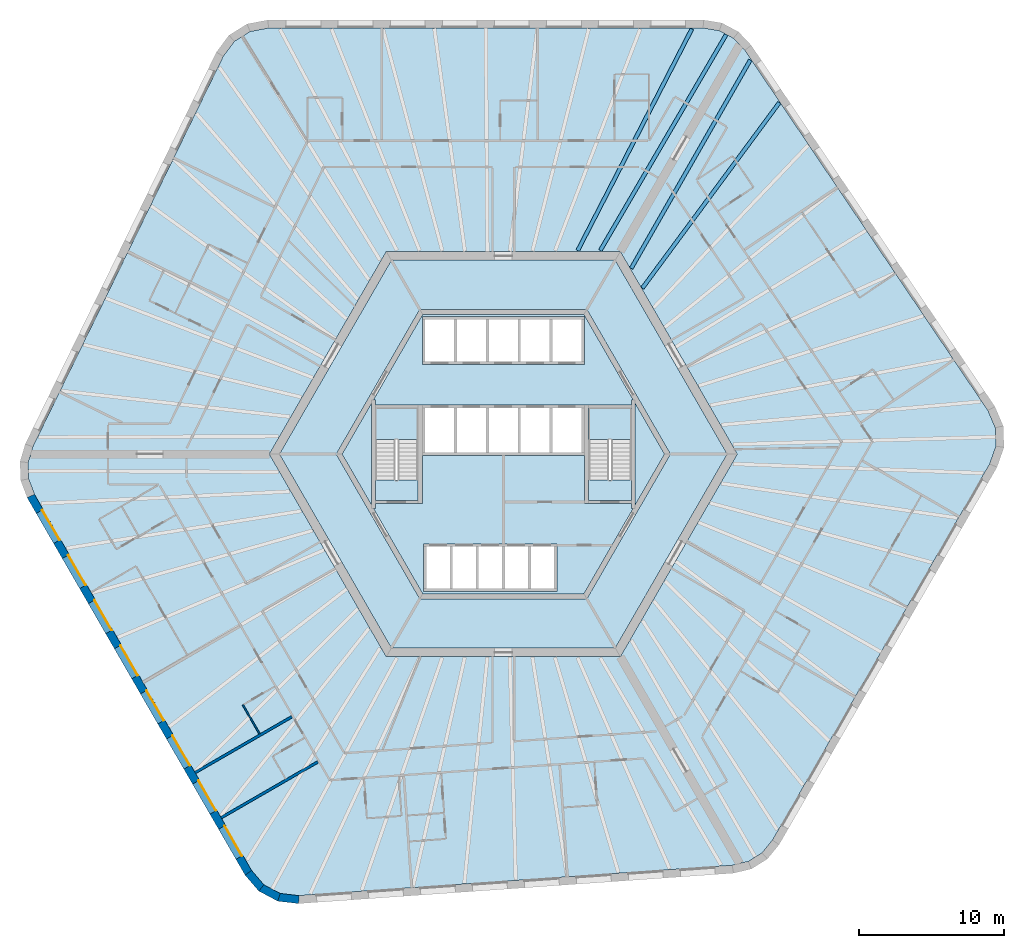
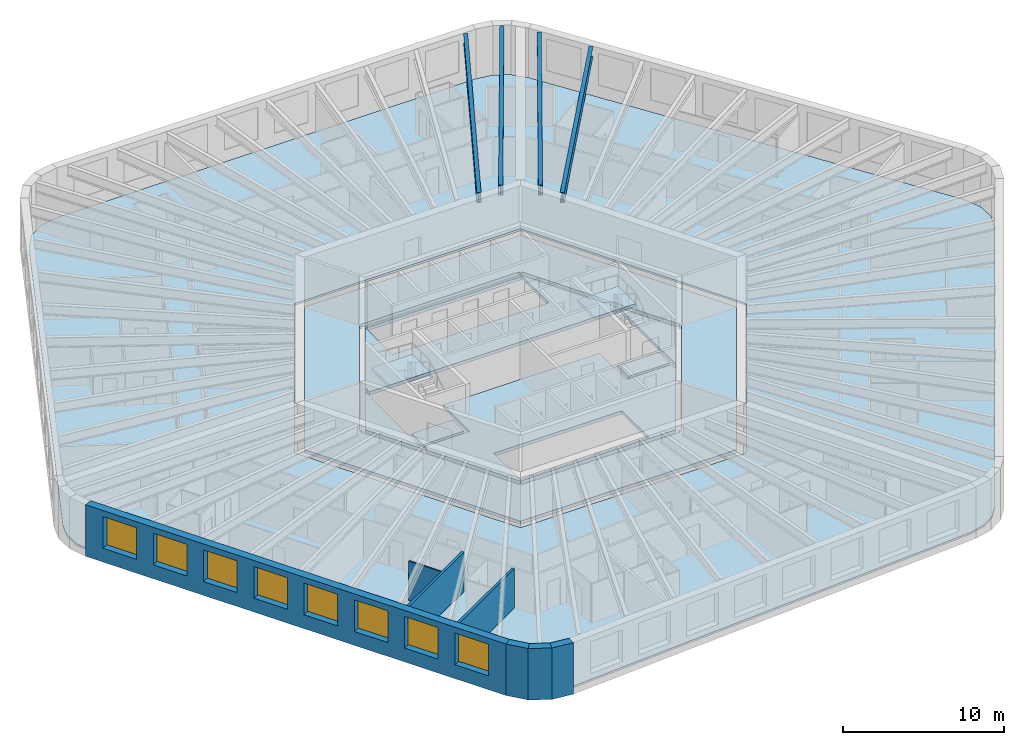
# One storey, part 2 of 12: 10 slabs, 8 windows, 7 walls, 4 beams, 8 openings, 2 elements without a shape of their own.
"""IFC4 building model written with IfcOpenShell, lengths in metres."""

from ifc_helpers import new_model, si_unit, direction, frame, frame_2d, origin, origin_2d, place, context, subcontext, project, spatial, polyline, rectangle, i_section, outline, extrude, material, layer, layer_set, material_profile, profile_set, type_object, element, fill, aggregate, save


model = new_model("IFC4")

# Units and contexts
model_context = context("Model", 3, precision=1e-05, world=origin(), true_north=direction((0.0, 1.0)))
body_context = subcontext(model_context, "Body", "Model", "MODEL_VIEW")
ifc_project = project(units=[si_unit("LENGTHUNIT", "METRE"), si_unit("AREAUNIT", "SQUARE_METRE"), si_unit("VOLUMEUNIT", "CUBIC_METRE"), si_unit("PLANEANGLEUNIT", "RADIAN"), si_unit("MASSUNIT", "GRAM", prefix="KILO")], contexts=[model_context])

# Site, building, storey
site_placement = place(None, origin())
site = spatial("IfcSite", under=ifc_project, at=site_placement, CompositionType="ELEMENT")
building_placement = place(site_placement, origin())
building = spatial("IfcBuilding", under=site, at=building_placement, Name="Tarnside Tower", CompositionType="ELEMENT")
storey_placement = place(building_placement, frame((0.0, 0.0, 84.300048828125)))
storey = spatial("IfcBuildingStorey", under=building, at=storey_placement, Name="L18", CompositionType="ELEMENT", Elevation=84.300048828125)

# Beams
ifc_material_1 = material(Name="Steel S355", Category="steel")
ifc_material_profile = material_profile(ifc_material_1, i_section(OverallWidth=0.2666015625, OverallDepth=0.76220703125, WebThickness=0.014404296875, FlangeThickness=0.021484375, FilletRadius=0.0166015625, at=origin_2d()), Name="UB 762x267x173")
ifc_profile_set = profile_set([ifc_material_profile], Name="Steel S355")
beam_type = type_object("IfcBeamType", Name="Floor beam UB 762x267x173", PredefinedType="BEAM", material=ifc_profile_set)
beam_1_placement = place(storey_placement, frame((13.0283203125, 29.37890625, 3.368896484375), z_axis=(-0.457973226459, -0.888965985765, 0.0), x_axis=(0.888965985765, -0.457973226459, 0.0)))
element("IfcBeam", 1, at=beam_1_placement, inside=storey, type_object=beam_type, Name="Floor beam F1.01", PredefinedType="BEAM", context=body_context, shape_type="SweptSolid", body=[
    extrude(i_section(OverallWidth=0.2666015625, OverallDepth=0.76220703125, WebThickness=0.014404296875, FlangeThickness=0.021484375, FilletRadius=0.0166015625, at=origin_2d()), origin(), (0.0, 0.0, 1.0), 17.219970703125),
])
beam_2_placement = place(storey_placement, frame((19.072021484375, 24.28857421875, 3.368896484375), z_axis=(-0.593986893499, -0.804474717037, 0.0), x_axis=(0.804474717037, -0.593986893499, 0.0)))
element("IfcBeam", 2, at=beam_2_placement, inside=storey, type_object=beam_type, Name="Floor beam F6.08", PredefinedType="BEAM", context=body_context, shape_type="SweptSolid", body=[
    extrude(i_section(OverallWidth=0.2666015625, OverallDepth=0.76220703125, WebThickness=0.014404296875, FlangeThickness=0.021484375, FilletRadius=0.0166015625, at=origin_2d()), origin(), (0.0, 0.0, 1.0), 15.934326171875),
])
beam_3_placement = place(storey_placement, frame((17.066162109375, 27.235107421875, 3.368896484375), z_axis=(-0.49622611841, -0.868193319145, 0.0), x_axis=(0.868193319145, -0.49622611841, 0.0)))
element("IfcBeam", 3, at=beam_3_placement, inside=storey, type_object=beam_type, Name="Floor beam F6.09", PredefinedType="BEAM", context=body_context, shape_type="SweptSolid", body=[
    extrude(i_section(OverallWidth=0.2666015625, OverallDepth=0.76220703125, WebThickness=0.014404296875, FlangeThickness=0.021484375, FilletRadius=0.0166015625, at=origin_2d()), origin(), (0.0, 0.0, 1.0), 16.586669921875),
])
beam_4_placement = place(storey_placement, frame((15.4013671875, 28.990478515625, 3.368896484375), z_axis=(-0.503858723096, -0.863786077198, 0.0), x_axis=(0.863786077198, -0.503858723096, 0.0)))
element("IfcBeam", 4, at=beam_4_placement, inside=storey, type_object=beam_type, Name="Floor beam C6", PredefinedType="BEAM", context=body_context, shape_type="SweptSolid", body=[
    extrude(i_section(OverallWidth=0.2666015625, OverallDepth=0.76220703125, WebThickness=0.014404296875, FlangeThickness=0.021484375, FilletRadius=0.0166015625, at=origin_2d()), origin(), (0.0, 0.0, 1.0), 17.2744140625),
])

# Slabs
ifc_material_2 = material(Name="Concrete C35/45", Category="concrete")
ifc_layer_1 = layer(ifc_material_2, 0.14990234375)
ifc_layer_set_1 = layer_set([ifc_layer_1], Name="Composite floor slab 150")
slab_type_1 = type_object("IfcSlabType", Name="Composite floor slab 150", PredefinedType="FLOOR", material=ifc_layer_set_1)
slab_1_placement = place(storey_placement, frame((0.0, 0.0, -0.150146484375)))
element("IfcSlab", 5, at=slab_1_placement, inside=storey, type_object=slab_type_1, Name="Floor slab L18", PredefinedType="FLOOR", context=body_context, shape_type="SweptSolid", body=[
    extrude(outline(polyline([(14.927490234375, 29.264892578125), (15.91455078125, 28.740234375), (16.697265625, 27.91064453125), (33.48583984375, 3.0205078125), (34.001220703125, 1.825439453125), (34.0458984375, 0.55078125), (33.614990234375, -0.67724609375), (18.603515625, -26.677978515625), (17.880615234375, -27.56005859375), (16.9326171875, -28.15234375), (15.82275390625, -28.41552734375), (-14.127197265625, -30.509765625), (-15.419921875, -30.358642578125), (-16.5458984375, -29.760009765625), (-17.39404296875, -28.772705078125), (-32.405517578125, -2.772216796875), (-32.80810546875, -1.704833984375), (-32.846923828125, -0.587890625), (-32.52001953125, 0.5048828125), (-19.358642578125, 27.4892578125), (-18.58154296875, 28.533203125), (-17.5, 29.208984375), (-16.220947265625, 29.449951171875), (13.802001953125, 29.449951171875), (14.927490234375, 29.264892578125)]), holes=[polyline([(-16.165771484375, 0.0), (-8.0830078125, -14.0), (8.0830078125, -14.0), (16.165771484375, 0.0), (8.0830078125, 14.0), (-8.0830078125, 14.0), (-16.165771484375, 0.0)])]), origin(), (0.0, 0.0, 1.0), 0.150146484375),
])
ifc_material_3 = material(Name="Concrete C40/50", Category="concrete")
ifc_layer_2 = layer(ifc_material_3, 0.25)
ifc_layer_set_2 = layer_set([ifc_layer_2], Name="Core slab C40/50")
slab_type_2 = type_object("IfcSlabType", Name="Core slab C40/50", PredefinedType="FLOOR", material=ifc_layer_set_2)
slab_2_placement = place(storey_placement, frame((0.0, 0.0, -0.25)))
element("IfcSlab", 6, at=slab_2_placement, inside=storey, type_object=slab_type_2, Name="L18 core floor slab 1", PredefinedType="FLOOR", context=body_context, shape_type="SweptSolid", body=[
    extrude(outline(polyline([(-15.472900390625, 0.0), (-7.736572265625, 13.39990234375), (7.736572265625, 13.39990234375), (15.472900390625, 0.0), (7.736572265625, -13.39990234375), (-7.736572265625, -13.39990234375), (-15.472900390625, 0.0)]), holes=[polyline([(5.823974609375, -9.91259765625), (11.49658203125, -0.08740234375), (11.344970703125, 0.0), (11.49658203125, 0.08740234375), (5.823974609375, 9.91259765625), (5.672607421875, 9.824951171875), (5.672607421875, 10.0), (-5.672607421875, 10.0), (-5.672607421875, 9.824951171875), (-5.823974609375, 9.91259765625), (-11.49658203125, 0.08740234375), (-11.344970703125, 0.0), (-11.49658203125, -0.08740234375), (-5.823974609375, -9.91259765625), (-5.672607421875, -9.824951171875), (-5.672607421875, -10.0), (5.672607421875, -10.0), (5.672607421875, -9.824951171875), (5.823974609375, -9.91259765625)])]), origin(), (0.0, 0.0, 1.0), 0.25),
])
slab_3_placement = place(storey_placement, frame((0.0, 0.0, -0.25)))
element("IfcSlab", 7, at=slab_3_placement, inside=storey, type_object=slab_type_2, Name="L18 core floor slab 2", PredefinedType="FLOOR", context=body_context, shape_type="SweptSolid", body=[
    extrude(outline(polyline([(-8.97509765625, 3.7548828125), (-5.5712890625, 9.64990234375), (5.5712890625, 9.64990234375), (8.97509765625, 3.7548828125), (8.85009765625, 3.7548828125), (8.85009765625, 3.39990234375), (5.89990234375, 3.39990234375), (5.60009765625, 3.39990234375), (5.60009765625, 3.39990234375), (-5.60009765625, 3.39990234375), (-5.89990234375, 3.39990234375), (-8.85009765625, 3.39990234375), (-8.85009765625, 3.7548828125), (-8.97509765625, 3.7548828125)]), holes=[polyline([(-5.60009765625, 6.199951171875), (5.60009765625, 6.199951171875), (5.60009765625, 6.39990234375), (5.60009765625, 9.300048828125), (5.60009765625, 9.5), (-5.60009765625, 9.5), (-5.60009765625, 9.300048828125), (-5.60009765625, 6.39990234375), (-5.60009765625, 6.199951171875)])]), origin(), (0.0, 0.0, 1.0), 0.25),
])
slab_4_placement = place(storey_placement, frame((0.0, 0.0, -0.25)))
element("IfcSlab", 8, at=slab_4_placement, inside=storey, type_object=slab_type_2, Name="L18 core floor slab 3", PredefinedType="FLOOR", context=body_context, shape_type="SweptSolid", body=[
    extrude(outline(polyline([(5.60009765625, -3.39990234375), (5.89990234375, -3.39990234375), (8.85009765625, -3.39990234375), (8.85009765625, -3.7548828125), (8.97509765625, -3.7548828125), (5.5712890625, -9.64990234375), (-5.5712890625, -9.64990234375), (-8.97509765625, -3.7548828125), (-8.85009765625, -3.7548828125), (-8.85009765625, -3.39990234375), (-5.89990234375, -3.39990234375), (-5.60009765625, -3.39990234375), (-5.60009765625, -0.10009765625), (5.60009765625, -0.10009765625), (5.60009765625, -3.39990234375)]), holes=[polyline([(-5.5, -9.300048828125), (-5.5, -9.5), (3.699951171875, -9.5), (3.699951171875, -9.300048828125), (3.699951171875, -6.39990234375), (3.699951171875, -6.199951171875), (-5.5, -6.199951171875), (-5.5, -6.39990234375), (-5.5, -9.300048828125)])]), origin(), (0.0, 0.0, 1.0), 0.25),
])
slab_5_placement = place(storey_placement, frame((0.0, 0.0, -0.25)))
element("IfcSlab", 9, at=slab_5_placement, inside=storey, type_object=slab_type_2, Name="L18 core floor slab 4", PredefinedType="FLOOR", context=body_context, shape_type="SweptSolid", body=[
    extrude(outline(polyline([(-11.142822265625, 0.0), (-9.10009765625, 3.538330078125), (-9.10009765625, -3.538330078125), (-11.142822265625, 0.0)])), origin(), (0.0, 0.0, 1.0), 0.25),
])
slab_6_placement = place(storey_placement, frame((0.0, 0.0, -0.25)))
element("IfcSlab", 10, at=slab_6_placement, inside=storey, type_object=slab_type_2, Name="L18 core floor slab 5", PredefinedType="FLOOR", context=body_context, shape_type="SweptSolid", body=[
    extrude(outline(polyline([(-8.85009765625, -1.800048828125), (-5.89990234375, -1.800048828125), (-5.89990234375, -3.199951171875), (-8.85009765625, -3.199951171875), (-8.85009765625, -1.800048828125)])), origin(), (0.0, 0.0, 1.0), 0.25),
])
slab_7_placement = place(storey_placement, frame((0.0, 0.0, -0.25)))
element("IfcSlab", 11, at=slab_7_placement, inside=storey, type_object=slab_type_2, Name="L18 core floor slab 6", PredefinedType="FLOOR", context=body_context, shape_type="SweptSolid", body=[
    extrude(outline(polyline([(5.89990234375, -3.199951171875), (5.89990234375, -1.800048828125), (8.85009765625, -1.800048828125), (8.85009765625, -3.199951171875), (5.89990234375, -3.199951171875)])), origin(), (0.0, 0.0, 1.0), 0.25),
])
slab_8_placement = place(storey_placement, frame((0.0, 0.0, -0.25)))
element("IfcSlab", 12, at=slab_8_placement, inside=storey, type_object=slab_type_2, Name="L18 core floor slab 7", PredefinedType="FLOOR", context=body_context, shape_type="SweptSolid", body=[
    extrude(outline(polyline([(9.10009765625, -3.538330078125), (9.10009765625, 3.538330078125), (11.142822265625, 0.0), (9.10009765625, -3.538330078125)])), origin(), (0.0, 0.0, 1.0), 0.25),
])

# Stair, slab
stair_type = type_object("IfcStairType", Name="Exit stair 1400 clear", PredefinedType="HALF_TURN_STAIR", material=ifc_material_3)
stair_1_placement = place(storey_placement, origin())
stair_1 = element("IfcStair", 13, at=stair_1_placement, inside=storey, type_object=stair_type, Name="L18 Exit stair 1", PredefinedType="HALF_TURN_STAIR")
ifc_layer_3 = layer(ifc_material_3, 0.199951171875)
ifc_layer_set_3 = layer_set([ifc_layer_3], Name="Stair landing 200 C40/50")
slab_type_3 = type_object("IfcSlabType", Name="Stair landing 200 C40/50", PredefinedType="LANDING", material=ifc_layer_set_3)
slab_9_placement = place(storey_placement, frame((0.0, 0.0, 1.75)))
slab_9 = element("IfcSlab", 14, at=slab_9_placement, type_object=slab_type_3, Name="ST1 landing 1", PredefinedType="LANDING", context=body_context, shape_type="SweptSolid", body=[
    extrude(outline(polyline([(8.85009765625, 1.0), (8.85009765625, 3.199951171875), (5.89990234375, 3.199951171875), (5.89990234375, 1.0), (8.85009765625, 1.0)])), origin(), (0.0, 0.0, 1.0), 0.199951171875),
])
aggregate(stair_1, [slab_9])

stair_2_placement = place(storey_placement, origin())
stair_2 = element("IfcStair", 15, at=stair_2_placement, inside=storey, type_object=stair_type, Name="L18 Exit stair 2", PredefinedType="HALF_TURN_STAIR")
slab_10_placement = place(storey_placement, frame((0.0, 0.0, 1.75)))
slab_10 = element("IfcSlab", 16, at=slab_10_placement, type_object=slab_type_3, Name="ST2 landing 1", PredefinedType="LANDING", context=body_context, shape_type="SweptSolid", body=[
    extrude(outline(polyline([(-5.89990234375, 1.0), (-5.89990234375, 3.199951171875), (-8.85009765625, 3.199951171875), (-8.85009765625, 1.0), (-5.89990234375, 1.0)])), origin(), (0.0, 0.0, 1.0), 0.199951171875),
])
aggregate(stair_2, [slab_10])

# Walls
ifc_material_4 = material(Name="Gypsum board partition on steel studs", Category="steel")
ifc_layer_4 = layer(ifc_material_4, 0.10009765625)
ifc_layer_set_4 = layer_set([ifc_layer_4], Name="Bathroom wall 100")
wall_type_1 = type_object("IfcWallType", Name="Bathroom wall 100", PredefinedType="PARTITIONING", material=ifc_layer_set_4)
wall_1_placement = place(storey_placement, frame((-16.840576171875, -19.331298828125, 0.0), z_axis=(0.0, 0.0, 1.0), x_axis=(-0.500015210774, 0.866016621662, 0.0)))
element("IfcWall", 17, at=wall_1_placement, inside=storey, type_object=wall_type_1, Name="Bathroom wall 05115", PredefinedType="PARTITIONING", context=body_context, shape_type="SweptSolid", body=[
    extrude(rectangle(XDim=2.31005859375, YDim=0.10009765625, at=frame_2d((1.155029296875, 0.0))), origin(), (0.0, 0.0, 1.0), 2.98779296875),
])
ifc_layer_5 = layer(ifc_material_4, 0.179931640625)
ifc_layer_set_5 = layer_set([ifc_layer_5], Name="Demising wall 180 EI 60")
wall_type_2 = type_object("IfcWallType", Name="Demising wall 180 EI 60", PredefinedType="PARTITIONING", material=ifc_layer_set_5)
wall_2_placement = place(storey_placement, frame((-21.298828125, -22.00927734375, 0.0), z_axis=(0.0, 0.0, 1.0), x_axis=(0.866019273868, 0.500010617176, 0.0)))
element("IfcWall", 18, at=wall_2_placement, inside=storey, type_object=wall_type_2, Name="Demising wall 05117", PredefinedType="PARTITIONING", context=body_context, shape_type="SweptSolid", body=[
    extrude(rectangle(XDim=7.724853515625, YDim=0.179931640625, at=frame_2d((3.8623046875, 0.0))), origin(), (0.0, 0.0, 1.0), 2.98779296875),
])
wall_3_placement = place(storey_placement, frame((-19.4990234375, -25.126953125, 0.0), z_axis=(0.0, 0.0, 1.0), x_axis=(0.866027174938, 0.499996932259, 0.0)))
element("IfcWall", 19, at=wall_3_placement, inside=storey, type_object=wall_type_2, Name="Demising wall 05121", PredefinedType="PARTITIONING", context=body_context, shape_type="SweptSolid", body=[
    extrude(rectangle(XDim=7.72509765625, YDim=0.179931640625, at=frame_2d((3.862548828125, 0.0))), origin(), (0.0, 0.0, 1.0), 2.98779296875),
])

# Wall, openings, windows
ifc_material_5 = material(Name="Facing brick", Category="masonry")
ifc_layer_6 = layer(ifc_material_5, 0.10205078125)
ifc_material_6 = material(Name="Concrete C60/75 precast", Category="concrete")
ifc_layer_7 = layer(ifc_material_6, 0.347900390625)
ifc_material_7 = material(Name="Mineral wool insulation")
ifc_layer_8 = layer(ifc_material_7, 0.10009765625)
ifc_layer_set_6 = layer_set([ifc_layer_6, ifc_layer_7, ifc_layer_8], Name="Tube wall 550 brick faced")
wall_type_3 = type_object("IfcWallType", Name="Tube wall 550 brick faced", PredefinedType="SOLIDWALL", material=ifc_layer_set_6)
wall_4_placement = place(storey_placement, frame((-32.65478515625, -2.89013671875, -0.150146484375), z_axis=(0.0, 0.0, 1.0), x_axis=(0.499997711317, -0.866026725152, 0.0)))
wall_4 = element("IfcWall", 20, at=wall_4_placement, inside=storey, type_object=wall_type_3, Name="Tube wall L18 F3 flush 08", PredefinedType="SOLIDWALL", context=body_context, shape_type="SweptSolid", body=[
    extrude(outline(polyline([(-0.0224609375, -0.27490234375), (30.0966796875, -0.27490234375), (30.04541015625, 0.27490234375), (0.0224609375, 0.27490234375), (-0.0224609375, -0.27490234375)])), origin(), (0.0, 0.0, 1.0), 3.900146484375),
])
opening_1_placement = place(wall_4_placement, frame((1.235595703125, 0.0, 1.050048828125)))
opening_1 = element("IfcOpeningElement", 21, at=opening_1_placement, cuts=wall_4, Name="Opening WH", PredefinedType="OPENING", context=body_context, shape_type="SweptSolid", body=[
    extrude(rectangle(XDim=2.39990234375, YDim=2.39990234375, at=frame_2d((1.199951171875, 1.199951171875))), frame((0.0, 0.28515625, 0.0), z_axis=(0.0, -1.0, 0.0), x_axis=(1.0, 0.0, 0.0)), (0.0, 0.0, 1.0), 0.570068359375),
])
opening_2_placement = place(wall_4_placement, frame((4.83544921875, 0.0, 1.050048828125)))
opening_2 = element("IfcOpeningElement", 22, at=opening_2_placement, cuts=wall_4, Name="Opening WH", PredefinedType="OPENING", context=body_context, shape_type="SweptSolid", body=[
    extrude(rectangle(XDim=2.39990234375, YDim=2.39990234375, at=frame_2d((1.199951171875, 1.199951171875))), frame((0.0, 0.28515625, 0.0), z_axis=(0.0, -1.0, 0.0), x_axis=(1.0, 0.0, 0.0)), (0.0, 0.0, 1.0), 0.570068359375),
])
opening_3_placement = place(wall_4_placement, frame((8.435546875, 0.0, 1.050048828125)))
opening_3 = element("IfcOpeningElement", 23, at=opening_3_placement, cuts=wall_4, Name="Opening WH", PredefinedType="OPENING", context=body_context, shape_type="SweptSolid", body=[
    extrude(rectangle(XDim=2.39990234375, YDim=2.39990234375, at=frame_2d((1.199951171875, 1.199951171875))), frame((0.0, 0.28515625, 0.0), z_axis=(0.0, -1.0, 0.0), x_axis=(1.0, 0.0, 0.0)), (0.0, 0.0, 1.0), 0.570068359375),
])
opening_4_placement = place(wall_4_placement, frame((12.035400390625, 0.0, 1.050048828125)))
opening_4 = element("IfcOpeningElement", 24, at=opening_4_placement, cuts=wall_4, Name="Opening WH", PredefinedType="OPENING", context=body_context, shape_type="SweptSolid", body=[
    extrude(rectangle(XDim=2.39990234375, YDim=2.39990234375, at=frame_2d((1.199951171875, 1.199951171875))), frame((0.0, 0.28515625, 0.0), z_axis=(0.0, -1.0, 0.0), x_axis=(1.0, 0.0, 0.0)), (0.0, 0.0, 1.0), 0.570068359375),
])
opening_5_placement = place(wall_4_placement, frame((15.635498046875, 0.0, 1.050048828125)))
opening_5 = element("IfcOpeningElement", 25, at=opening_5_placement, cuts=wall_4, Name="Opening WH", PredefinedType="OPENING", context=body_context, shape_type="SweptSolid", body=[
    extrude(rectangle(XDim=2.39990234375, YDim=2.39990234375, at=frame_2d((1.199951171875, 1.199951171875))), frame((0.0, 0.28515625, 0.0), z_axis=(0.0, -1.0, 0.0), x_axis=(1.0, 0.0, 0.0)), (0.0, 0.0, 1.0), 0.570068359375),
])
opening_6_placement = place(wall_4_placement, frame((19.235595703125, 0.0, 1.050048828125)))
opening_6 = element("IfcOpeningElement", 26, at=opening_6_placement, cuts=wall_4, Name="Opening WH", PredefinedType="OPENING", context=body_context, shape_type="SweptSolid", body=[
    extrude(rectangle(XDim=2.39990234375, YDim=2.39990234375, at=frame_2d((1.199951171875, 1.199951171875))), frame((0.0, 0.28515625, 0.0), z_axis=(0.0, -1.0, 0.0), x_axis=(1.0, 0.0, 0.0)), (0.0, 0.0, 1.0), 0.570068359375),
])
opening_7_placement = place(wall_4_placement, frame((22.83544921875, 0.0, 1.050048828125)))
opening_7 = element("IfcOpeningElement", 27, at=opening_7_placement, cuts=wall_4, Name="Opening WH", PredefinedType="OPENING", context=body_context, shape_type="SweptSolid", body=[
    extrude(rectangle(XDim=2.39990234375, YDim=2.39990234375, at=frame_2d((1.199951171875, 1.199951171875))), frame((0.0, 0.28515625, 0.0), z_axis=(0.0, -1.0, 0.0), x_axis=(1.0, 0.0, 0.0)), (0.0, 0.0, 1.0), 0.570068359375),
])
opening_8_placement = place(wall_4_placement, frame((26.435546875, 0.0, 1.050048828125)))
opening_8 = element("IfcOpeningElement", 28, at=opening_8_placement, cuts=wall_4, Name="Opening WH", PredefinedType="OPENING", context=body_context, shape_type="SweptSolid", body=[
    extrude(rectangle(XDim=2.39990234375, YDim=2.39990234375, at=frame_2d((1.199951171875, 1.199951171875))), frame((0.0, 0.28515625, 0.0), z_axis=(0.0, -1.0, 0.0), x_axis=(1.0, 0.0, 0.0)), (0.0, 0.0, 1.0), 0.570068359375),
])
ifc_material_8 = material(Name="Aluminium-framed double glazing", Category="aluminium")
window_type = type_object("IfcWindowType", Name="Hotel window 2400 x 2400", PartitioningType="DOUBLE_PANEL_VERTICAL", PredefinedType="WINDOW", material=ifc_material_8)
window_1_placement = place(opening_1_placement, frame((0.0, 0.205078125, 0.0)))
window_1 = element("IfcWindow", 29, at=window_1_placement, inside=storey, type_object=window_type, Name="E.WN.L18.F3.00", OverallHeight=2.39990234375, OverallWidth=2.39990234375, PartitioningType="DOUBLE_PANEL_VERTICAL", PredefinedType="WINDOW", context=body_context, shape_type="SweptSolid", body=[
    extrude(rectangle(XDim=2.39990234375, YDim=2.39990234375, at=frame_2d((1.199951171875, 1.199951171875))), frame((0.0, 0.030029296875, 0.0), z_axis=(0.0, -1.0, 0.0), x_axis=(1.0, 0.0, 0.0)), (0.0, 0.0, 1.0), 0.06005859375),
])
fill(opening_1, window_1)
window_2_placement = place(opening_2_placement, frame((0.0, 0.205078125, 0.0)))
window_2 = element("IfcWindow", 30, at=window_2_placement, inside=storey, type_object=window_type, Name="E.WN.L18.F3.01", OverallHeight=2.39990234375, OverallWidth=2.39990234375, PartitioningType="DOUBLE_PANEL_VERTICAL", PredefinedType="WINDOW", context=body_context, shape_type="SweptSolid", body=[
    extrude(rectangle(XDim=2.39990234375, YDim=2.39990234375, at=frame_2d((1.199951171875, 1.199951171875))), frame((0.0, 0.030029296875, 0.0), z_axis=(0.0, -1.0, 0.0), x_axis=(1.0, 0.0, 0.0)), (0.0, 0.0, 1.0), 0.06005859375),
])
fill(opening_2, window_2)
window_3_placement = place(opening_3_placement, frame((0.0, 0.205078125, 0.0)))
window_3 = element("IfcWindow", 31, at=window_3_placement, inside=storey, type_object=window_type, Name="E.WN.L18.F3.02", OverallHeight=2.39990234375, OverallWidth=2.39990234375, PartitioningType="DOUBLE_PANEL_VERTICAL", PredefinedType="WINDOW", context=body_context, shape_type="SweptSolid", body=[
    extrude(rectangle(XDim=2.39990234375, YDim=2.39990234375, at=frame_2d((1.199951171875, 1.199951171875))), frame((0.0, 0.030029296875, 0.0), z_axis=(0.0, -1.0, 0.0), x_axis=(1.0, 0.0, 0.0)), (0.0, 0.0, 1.0), 0.06005859375),
])
fill(opening_3, window_3)
window_4_placement = place(opening_4_placement, frame((0.0, 0.205078125, 0.0)))
window_4 = element("IfcWindow", 32, at=window_4_placement, inside=storey, type_object=window_type, Name="E.WN.L18.F3.03", OverallHeight=2.39990234375, OverallWidth=2.39990234375, PartitioningType="DOUBLE_PANEL_VERTICAL", PredefinedType="WINDOW", context=body_context, shape_type="SweptSolid", body=[
    extrude(rectangle(XDim=2.39990234375, YDim=2.39990234375, at=frame_2d((1.199951171875, 1.199951171875))), frame((0.0, 0.030029296875, 0.0), z_axis=(0.0, -1.0, 0.0), x_axis=(1.0, 0.0, 0.0)), (0.0, 0.0, 1.0), 0.06005859375),
])
fill(opening_4, window_4)
window_5_placement = place(opening_5_placement, frame((0.0, 0.205078125, 0.0)))
window_5 = element("IfcWindow", 33, at=window_5_placement, inside=storey, type_object=window_type, Name="E.WN.L18.F3.04", OverallHeight=2.39990234375, OverallWidth=2.39990234375, PartitioningType="DOUBLE_PANEL_VERTICAL", PredefinedType="WINDOW", context=body_context, shape_type="SweptSolid", body=[
    extrude(rectangle(XDim=2.39990234375, YDim=2.39990234375, at=frame_2d((1.199951171875, 1.199951171875))), frame((0.0, 0.030029296875, 0.0), z_axis=(0.0, -1.0, 0.0), x_axis=(1.0, 0.0, 0.0)), (0.0, 0.0, 1.0), 0.06005859375),
])
fill(opening_5, window_5)
window_6_placement = place(opening_6_placement, frame((0.0, 0.205078125, 0.0)))
window_6 = element("IfcWindow", 34, at=window_6_placement, inside=storey, type_object=window_type, Name="E.WN.L18.F3.05", OverallHeight=2.39990234375, OverallWidth=2.39990234375, PartitioningType="DOUBLE_PANEL_VERTICAL", PredefinedType="WINDOW", context=body_context, shape_type="SweptSolid", body=[
    extrude(rectangle(XDim=2.39990234375, YDim=2.39990234375, at=frame_2d((1.199951171875, 1.199951171875))), frame((0.0, 0.030029296875, 0.0), z_axis=(0.0, -1.0, 0.0), x_axis=(1.0, 0.0, 0.0)), (0.0, 0.0, 1.0), 0.06005859375),
])
fill(opening_6, window_6)
window_7_placement = place(opening_7_placement, frame((0.0, 0.205078125, 0.0)))
window_7 = element("IfcWindow", 35, at=window_7_placement, inside=storey, type_object=window_type, Name="E.WN.L18.F3.06", OverallHeight=2.39990234375, OverallWidth=2.39990234375, PartitioningType="DOUBLE_PANEL_VERTICAL", PredefinedType="WINDOW", context=body_context, shape_type="SweptSolid", body=[
    extrude(rectangle(XDim=2.39990234375, YDim=2.39990234375, at=frame_2d((1.199951171875, 1.199951171875))), frame((0.0, 0.030029296875, 0.0), z_axis=(0.0, -1.0, 0.0), x_axis=(1.0, 0.0, 0.0)), (0.0, 0.0, 1.0), 0.06005859375),
])
fill(opening_7, window_7)
window_8_placement = place(opening_8_placement, frame((0.0, 0.205078125, 0.0)))
window_8 = element("IfcWindow", 36, at=window_8_placement, inside=storey, type_object=window_type, Name="E.WN.L18.F3.07", OverallHeight=2.39990234375, OverallWidth=2.39990234375, PartitioningType="DOUBLE_PANEL_VERTICAL", PredefinedType="WINDOW", context=body_context, shape_type="SweptSolid", body=[
    extrude(rectangle(XDim=2.39990234375, YDim=2.39990234375, at=frame_2d((1.199951171875, 1.199951171875))), frame((0.0, 0.030029296875, 0.0), z_axis=(0.0, -1.0, 0.0), x_axis=(1.0, 0.0, 0.0)), (0.0, 0.0, 1.0), 0.06005859375),
])
fill(opening_8, window_8)

# Walls
wall_5_placement = place(storey_placement, frame((-17.619384765625, -28.932373046875, -0.150146484375), z_axis=(0.0, 0.0, 1.0), x_axis=(0.651621950847, -0.758543890078, 0.0)))
element("IfcWall", 37, at=wall_5_placement, inside=storey, type_object=wall_type_3, Name="Tube wall L18 F3 chord 09", PredefinedType="SOLIDWALL", context=body_context, shape_type="SweptSolid", body=[
    extrude(outline(polyline([(-0.025634765625, -0.27490234375), (1.430908203125, -0.27490234375), (1.327392578125, 0.27490234375), (0.025634765625, 0.27490234375), (-0.025634765625, -0.27490234375)])), origin(), (0.0, 0.0, 1.0), 3.900146484375),
])
wall_6_placement = place(storey_placement, frame((-16.720703125, -29.978515625, -0.150146484375), z_axis=(0.0, 0.0, 1.0), x_axis=(0.882994189209, -0.469383917304, 0.0)))
element("IfcWall", 38, at=wall_6_placement, inside=storey, type_object=wall_type_3, Name="Tube wall L18 F3 chord 10", PredefinedType="SOLIDWALL", context=body_context, shape_type="SweptSolid", body=[
    extrude(outline(polyline([(-0.0517578125, -0.27490234375), (1.4306640625, -0.27490234375), (1.3271484375, 0.27490234375), (0.0517578125, 0.27490234375), (-0.0517578125, -0.27490234375)])), origin(), (0.0, 0.0, 1.0), 3.900146484375),
])
wall_7_placement = place(storey_placement, frame((-15.503173828125, -30.625732421875, -0.150146484375), z_axis=(0.0, 0.0, 1.0), x_axis=(0.993232537394, -0.11614269956, 0.0)))
element("IfcWall", 39, at=wall_7_placement, inside=storey, type_object=wall_type_3, Name="Tube wall L18 F3 chord 11", PredefinedType="SOLIDWALL", context=body_context, shape_type="SweptSolid", body=[
    extrude(outline(polyline([(-0.0517578125, -0.27490234375), (1.404541015625, -0.27490234375), (1.353271484375, 0.27490234375), (0.0517578125, 0.27490234375), (-0.0517578125, -0.27490234375)])), origin(), (0.0, 0.0, 1.0), 3.900146484375),
])

save(model, "model.ifc")
